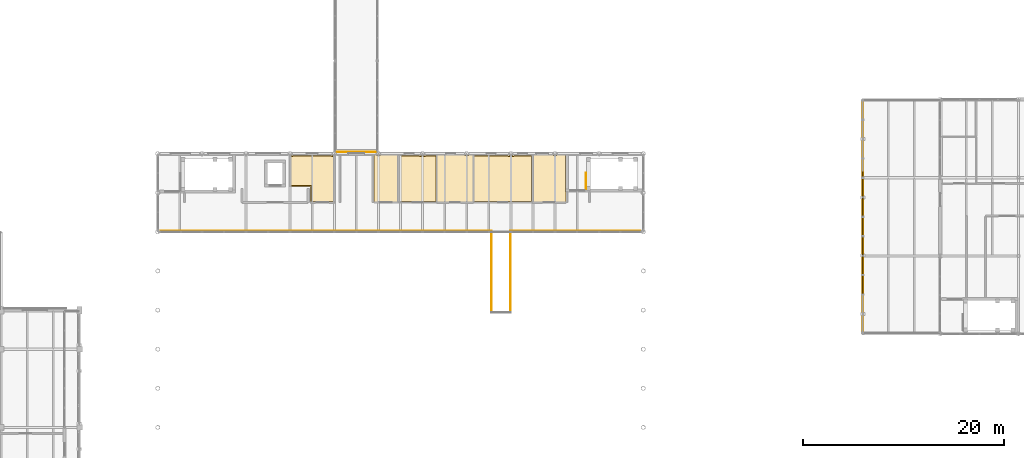
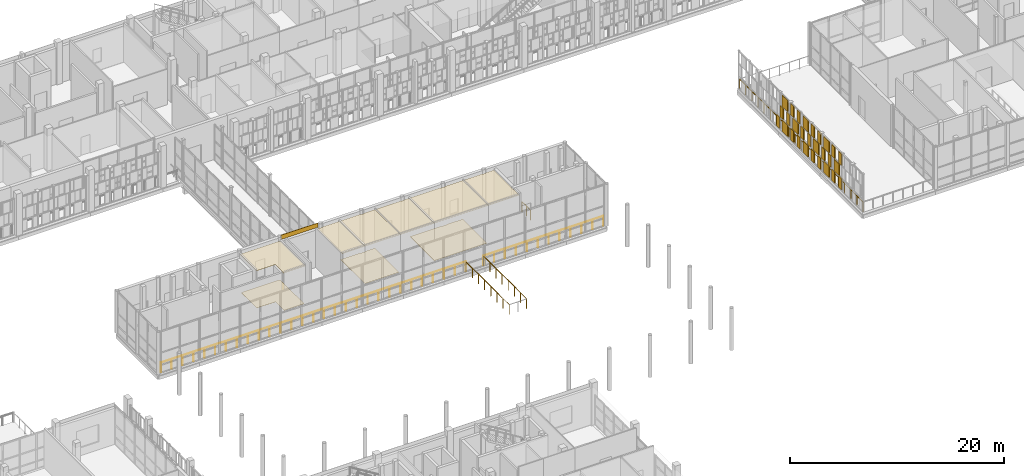
# One storey, part 130 of 138: 38 coverings, 6 railings.
"""IFC4 building model written with IfcOpenShell, lengths in metres."""

import ifcopenshell
import ifcopenshell.guid

model = None  # the IFC model being written
_history = None  # IfcOwnerHistory: only IFC2X3 demands one
_inside = {}  # id of a spatial element -> (the spatial element, [elements in it])
_under = {}  # id of a project, library or spatial element -> (it, [spatial elements below it])
_declared = {}  # id of a project -> (the project, [libraries it declares])
_typed = {}  # id of a type object -> (the type object, [elements of that type])
_made_of = {}  # id of a material, layer set ... -> (it, [elements and type objects made of it])


def new_model(schema):
    """Start an empty IFC model of exactly this schema.

    Asked for "IFC4X3", IfcOpenShell would pick the latest addendum, in which some entities
    have other attributes; the version numbers below select the first issue.
    IFC2X3 requires an IfcOwnerHistory on every rooted entity: one is made here for all.
    """
    global model, _history
    if schema == "IFC4X3":
        model = ifcopenshell.file(schema_version=(4, 3, 0, 0))
    else:
        model = ifcopenshell.file(schema=schema)
    _inside.clear()
    _under.clear()
    _declared.clear()
    _typed.clear()
    _made_of.clear()
    _history = None
    if model.schema == "IFC2X3":
        org = make("IfcOrganization", Name="unknown")
        user = make(
            "IfcPersonAndOrganization",
            ThePerson=make("IfcPerson", FamilyName="unknown"),
            TheOrganization=org,
        )
        app = make(
            "IfcApplication",
            ApplicationDeveloper=org,
            Version="unknown",
            ApplicationFullName="unknown",
            ApplicationIdentifier="unknown",
        )
        _history = make(
            "IfcOwnerHistory",
            OwningUser=user,
            OwningApplication=app,
            ChangeAction="ADDED",
            CreationDate=0,
        )
    return model


def make(cls, **values):
    """One entity of the class cls with the attributes given. An attribute that is None is left unset."""
    return model.create_entity(
        cls, **{name: value for name, value in values.items() if value is not None}
    )


def rooted(cls, **values):
    """An entity with a GlobalId (a new one), such as an element, a storey or a relation."""
    return make(cls, GlobalId=ifcopenshell.guid.new(), OwnerHistory=_history, **values)


def si_unit(unit_type, name, prefix=None):
    """IfcSIUnit, for example si_unit("LENGTHUNIT", "METRE", prefix="MILLI")."""
    return make("IfcSIUnit", UnitType=unit_type, Prefix=prefix, Name=name)


def assignment(units):
    """IfcUnitAssignment: the units of a project."""
    return None if units is None else make("IfcUnitAssignment", Units=units)


def point(xyz):
    """IfcCartesianPoint."""
    return None if xyz is None else make("IfcCartesianPoint", Coordinates=xyz)


def direction(xyz):
    """IfcDirection."""
    return None if xyz is None else make("IfcDirection", DirectionRatios=xyz)


def frame(location, z_axis=None, x_axis=None):
    """IfcAxis2Placement3D, a coordinate frame: its origin and axes. An axis left out is left unset."""
    return make(
        "IfcAxis2Placement3D",
        Location=point(location),
        Axis=direction(z_axis),
        RefDirection=direction(x_axis),
    )


def frame_2d(location, x_axis=None):
    """IfcAxis2Placement2D, a coordinate frame in the plane: its origin and x axis."""
    return make(
        "IfcAxis2Placement2D", Location=point(location), RefDirection=direction(x_axis)
    )


def origin():
    """The frame at (0, 0, 0) with its axes left unset."""
    return frame((0.0, 0.0, 0.0))


def origin_2d():
    """The frame at (0, 0) in the plane with its x axis left unset."""
    return frame_2d((0.0, 0.0))


def place(relative_to, where):
    """IfcLocalPlacement: puts the frame where relative to a parent placement (None: the world)."""
    return make(
        "IfcLocalPlacement", PlacementRelTo=relative_to, RelativePlacement=where
    )


def context(
    kind, dimensions, precision=None, world=None, true_north=None, identifier=None
):
    """IfcGeometricRepresentationContext, for example the 3D "Model" context."""
    return make(
        "IfcGeometricRepresentationContext",
        ContextIdentifier=identifier,
        ContextType=kind,
        CoordinateSpaceDimension=dimensions,
        Precision=precision,
        WorldCoordinateSystem=world,
        TrueNorth=true_north,
    )


def subcontext(parent, identifier, kind, view, scale=None):
    """IfcGeometricRepresentationSubContext, for example "Body" below "Model"."""
    return make(
        "IfcGeometricRepresentationSubContext",
        ContextIdentifier=identifier,
        ContextType=kind,
        ParentContext=parent,
        TargetScale=scale,
        TargetView=view,
    )


def project(units=None, contexts=None):
    """IfcProject with its units and contexts."""
    return rooted(
        "IfcProject",
        Name="project",
        RepresentationContexts=contexts,
        UnitsInContext=assignment(units),
    )


def spatial(cls, under=None, at=None, **own):
    """A site, building, storey or space (cls), placed at a placement, below another one or the project."""
    s = rooted(cls, ObjectPlacement=at, **own)
    if under is not None:
        _under.setdefault(under.id(), (under, []))[1].append(s)
    return s


def polyline(points):
    """IfcPolyline through the points."""
    return make("IfcPolyline", Points=[point(p) for p in points])


def profile(cls, at=None, kind="AREA", **sizes):
    """A parametric profile (cls). Its sizes go by their IFC names, for example OverallWidth=200.0."""
    return make(cls, ProfileType=kind, Position=at, **sizes)


def rectangle(**sizes):
    """IfcRectangleProfileDef."""
    return profile("IfcRectangleProfileDef", **sizes)


def circle(**sizes):
    """IfcCircleProfileDef."""
    return profile("IfcCircleProfileDef", **sizes)


def outline(outer, holes=None, kind="AREA"):
    """IfcArbitraryClosedProfileDef: a profile drawn as a closed curve; with holes, ...WithVoids."""
    if holes is None:
        return make("IfcArbitraryClosedProfileDef", ProfileType=kind, OuterCurve=outer)
    return make(
        "IfcArbitraryProfileDefWithVoids",
        ProfileType=kind,
        OuterCurve=outer,
        InnerCurves=holes,
    )


def extrude(swept, where, along, depth):
    """IfcExtrudedAreaSolid: the profile swept, set in the frame where, extruded along a direction by depth."""
    return make(
        "IfcExtrudedAreaSolid",
        SweptArea=swept,
        Position=where,
        ExtrudedDirection=direction(along),
        Depth=depth,
    )


def shape(context_of_items, identifier, shape_type, items):
    """IfcShapeRepresentation: the items that make up one representation, for example the "Body"."""
    return make(
        "IfcShapeRepresentation",
        ContextOfItems=context_of_items,
        RepresentationIdentifier=identifier,
        RepresentationType=shape_type,
        Items=items,
    )


def material(Name=None, Category=None):
    """IfcMaterial."""
    return make("IfcMaterial", Name=Name, Category=Category)


def layer(
    of_material, thickness, ventilated=None, Name=None, Category=None, Priority=None
):
    """IfcMaterialLayer: one layer of a wall or slab, of a material (None: an air gap)."""
    return make(
        "IfcMaterialLayer",
        Material=of_material,
        LayerThickness=thickness,
        IsVentilated=ventilated,
        Name=Name,
        Category=Category,
        Priority=Priority,
    )


def layer_set(layers, Name=None):
    """IfcMaterialLayerSet."""
    return make("IfcMaterialLayerSet", MaterialLayers=layers, LayerSetName=Name)


def made_of(thing, what):
    """Note that an element or type object is made of a material, layer set ...; save() writes the relation."""
    if what is not None:
        _made_of.setdefault(what.id(), (what, []))[1].append(thing)
    return thing


def type_object(cls, material=None, **own):
    """A type object (cls), such as IfcWallType, which elements share."""
    return made_of(rooted(cls, **own), material)


def element(
    cls,
    number,
    at=None,
    inside=None,
    cuts=None,
    type_object=None,
    material=None,
    context=None,
    identifier="Body",
    shape_type=None,
    held_by="IfcProductDefinitionShape",
    body=None,
    shapes=None,
    **own,
):
    """One element of the class cls, such as IfcWall. Its Tag is "e" and its number.

    at: its placement. inside: the storey or other place that contains it. cuts: it is an
    opening in that element (IfcRelVoidsElement). A single representation is given by context,
    identifier, shape_type and body (its items); several are given by shapes. held_by: the class
    of the entity that holds the representations. save() writes the other relations.
    """
    e = rooted(cls, Tag="e%d" % number, ObjectPlacement=at, **own)
    if body is not None:
        shapes = [shape(context, identifier, shape_type, body)]
    if shapes is not None:
        e.Representation = make(held_by, Representations=shapes)
    if inside is not None:
        _inside.setdefault(inside.id(), (inside, []))[1].append(e)
    if cuts is not None:
        rooted(
            "IfcRelVoidsElement", RelatingBuildingElement=cuts, RelatedOpeningElement=e
        )
    if type_object is not None:
        _typed.setdefault(type_object.id(), (type_object, []))[1].append(e)
    return made_of(e, material)


def aggregate(whole, parts):
    """IfcRelAggregates: a whole, such as a stair, and the parts it consists of."""
    return rooted("IfcRelAggregates", RelatingObject=whole, RelatedObjects=parts)


def save(model, path):
    """Write the relations noted so far, then the file.

    IfcRelAggregates (storeys below a building ...), IfcRelContainedInSpatialStructure (elements
    in a storey), IfcRelDefinesByType, IfcRelAssociatesMaterial and IfcRelDeclares: one each for
    every whole, place, type object, material and project.
    """
    for whole, parts in _under.values():
        aggregate(whole, parts)
    for where, things in _inside.values():
        rooted(
            "IfcRelContainedInSpatialStructure",
            RelatedElements=things,
            RelatingStructure=where,
        )
    for kind, things in _typed.values():
        rooted("IfcRelDefinesByType", RelatedObjects=things, RelatingType=kind)
    for what, things in _made_of.values():
        rooted("IfcRelAssociatesMaterial", RelatedObjects=things, RelatingMaterial=what)
    for by, libraries in _declared.values():
        rooted("IfcRelDeclares", RelatingContext=by, RelatedDefinitions=libraries)
    model.write(path)


model = new_model("IFC4")

# Units and contexts
model_context = context("Model", 3, precision=1e-05, world=origin(), true_north=direction((0.0, 1.0)))
body_context = subcontext(model_context, "Body", "Model", "MODEL_VIEW")
ifc_project = project(units=[si_unit("LENGTHUNIT", "METRE"), si_unit("AREAUNIT", "SQUARE_METRE"), si_unit("VOLUMEUNIT", "CUBIC_METRE"), si_unit("PLANEANGLEUNIT", "RADIAN"), si_unit("MASSUNIT", "GRAM", prefix="KILO")], contexts=[model_context])

# Site, building, storey
site_placement = place(None, origin())
site = spatial("IfcSite", under=ifc_project, at=site_placement, CompositionType="ELEMENT")
building_placement = place(site_placement, origin())
building = spatial("IfcBuilding", under=site, at=building_placement, Name="Celorna Specialist Clinic", CompositionType="ELEMENT")
storey_placement = place(building_placement, frame((0.0, 0.0, 4.800048828125)))
storey = spatial("IfcBuildingStorey", under=building, at=storey_placement, Name="L01", CompositionType="ELEMENT", Elevation=4.800048828125)

# Railings
ifc_material_1 = material(Name="Stainless steel and laminated glass balustrade", Category="steel")
railing_type_1 = type_object("IfcRailingType", Name="BL-01", PredefinedType="BALUSTRADE", material=ifc_material_1)
railing_1_placement = place(storey_placement, frame((124.919921875, 60.1201171875, 0.0)))
element("IfcRailing", 1, at=railing_1_placement, inside=storey, type_object=railing_type_1, Name="Healing Cloister Veranda Terrace perimeter balustrade 1", PredefinedType="BALUSTRADE", context=body_context, shape_type="SweptSolid", body=[
    extrude(circle(Radius=0.02392578125, at=origin_2d()), frame((0.0, 0.0, 1.09619140625), z_axis=(0.0, 1.0, 0.0), x_axis=(-1.0, 0.0, 0.0)), (0.0, 0.0, 1.0), 23.159912109375),
    extrude(circle(Radius=0.02099609375, at=origin_2d()), origin(), (0.0, 0.0, 1.0), 1.072021484375),
    extrude(circle(Radius=0.02099609375, at=origin_2d()), frame((0.0, 1.157958984375, 0.0)), (0.0, 0.0, 1.0), 1.072021484375),
    extrude(circle(Radius=0.02099609375, at=origin_2d()), frame((0.0, 2.31591796875, 0.0)), (0.0, 0.0, 1.0), 1.072021484375),
    extrude(circle(Radius=0.02099609375, at=origin_2d()), frame((0.0, 3.473876953125, 0.0)), (0.0, 0.0, 1.0), 1.072021484375),
    extrude(circle(Radius=0.02099609375, at=origin_2d()), frame((0.0, 4.632080078125, 0.0)), (0.0, 0.0, 1.0), 1.072021484375),
    extrude(circle(Radius=0.02099609375, at=origin_2d()), frame((0.0, 5.7900390625, 0.0)), (0.0, 0.0, 1.0), 1.072021484375),
    extrude(circle(Radius=0.02099609375, at=origin_2d()), frame((0.0, 6.947998046875, 0.0)), (0.0, 0.0, 1.0), 1.072021484375),
    extrude(circle(Radius=0.02099609375, at=origin_2d()), frame((0.0, 8.10595703125, 0.0)), (0.0, 0.0, 1.0), 1.072021484375),
    extrude(circle(Radius=0.02099609375, at=origin_2d()), frame((0.0, 9.263916015625, 0.0)), (0.0, 0.0, 1.0), 1.072021484375),
    extrude(circle(Radius=0.02099609375, at=origin_2d()), frame((0.0, 10.421875, 0.0)), (0.0, 0.0, 1.0), 1.072021484375),
    extrude(circle(Radius=0.02099609375, at=origin_2d()), frame((0.0, 11.580078125, 0.0)), (0.0, 0.0, 1.0), 1.072021484375),
    extrude(circle(Radius=0.02099609375, at=origin_2d()), frame((0.0, 12.738037109375, 0.0)), (0.0, 0.0, 1.0), 1.072021484375),
    extrude(circle(Radius=0.02099609375, at=origin_2d()), frame((0.0, 13.89599609375, 0.0)), (0.0, 0.0, 1.0), 1.072021484375),
    extrude(circle(Radius=0.02099609375, at=origin_2d()), frame((0.0, 15.053955078125, 0.0)), (0.0, 0.0, 1.0), 1.072021484375),
    extrude(circle(Radius=0.02099609375, at=origin_2d()), frame((0.0, 16.2119140625, 0.0)), (0.0, 0.0, 1.0), 1.072021484375),
    extrude(circle(Radius=0.02099609375, at=origin_2d()), frame((0.0, 17.369873046875, 0.0)), (0.0, 0.0, 1.0), 1.072021484375),
    extrude(circle(Radius=0.02099609375, at=origin_2d()), frame((0.0, 18.52783203125, 0.0)), (0.0, 0.0, 1.0), 1.072021484375),
    extrude(circle(Radius=0.02099609375, at=origin_2d()), frame((0.0, 19.68603515625, 0.0)), (0.0, 0.0, 1.0), 1.072021484375),
    extrude(circle(Radius=0.02099609375, at=origin_2d()), frame((0.0, 20.843994140625, 0.0)), (0.0, 0.0, 1.0), 1.072021484375),
    extrude(circle(Radius=0.02099609375, at=origin_2d()), frame((0.0, 22.001953125, 0.0)), (0.0, 0.0, 1.0), 1.072021484375),
    extrude(circle(Radius=0.02099609375, at=origin_2d()), frame((0.0, 23.159912109375, 0.0)), (0.0, 0.0, 1.0), 1.072021484375),
])
railing_2_placement = place(storey_placement, frame((87.85498046875, 70.215087890625, 0.0)))
element("IfcRailing", 2, at=railing_2_placement, inside=storey, type_object=railing_type_1, Name="Feature stair ST-15 upper well balustrade 1", PredefinedType="BALUSTRADE", context=body_context, shape_type="SweptSolid", body=[
    extrude(circle(Radius=0.02392578125, at=origin_2d()), frame((0.0, 0.0, 1.09619140625), z_axis=(0.0, -1.0, 0.0), x_axis=(1.0, 0.0, 0.0)), (0.0, 0.0, 1.0), 8.05517578125),
    extrude(circle(Radius=0.02099609375, at=origin_2d()), origin(), (0.0, 0.0, 1.0), 1.072021484375),
    extrude(circle(Radius=0.02099609375, at=origin_2d()), frame((0.0, -1.150634765625, 0.0)), (0.0, 0.0, 1.0), 1.072021484375),
    extrude(circle(Radius=0.02099609375, at=origin_2d()), frame((0.0, -2.301513671875, 0.0)), (0.0, 0.0, 1.0), 1.072021484375),
    extrude(circle(Radius=0.02099609375, at=origin_2d()), frame((0.0, -3.4521484375, 0.0)), (0.0, 0.0, 1.0), 1.072021484375),
    extrude(circle(Radius=0.02099609375, at=origin_2d()), frame((0.0, -4.60302734375, 0.0)), (0.0, 0.0, 1.0), 1.072021484375),
    extrude(circle(Radius=0.02099609375, at=origin_2d()), frame((0.0, -5.753662109375, 0.0)), (0.0, 0.0, 1.0), 1.072021484375),
    extrude(circle(Radius=0.02099609375, at=origin_2d()), frame((0.0, -6.904541015625, 0.0)), (0.0, 0.0, 1.0), 1.072021484375),
    extrude(circle(Radius=0.02099609375, at=origin_2d()), frame((0.0, -8.05517578125, 0.0)), (0.0, 0.0, 1.0), 1.072021484375),
])
railing_3_placement = place(storey_placement, frame((89.7451171875, 62.159912109375, 0.0)))
element("IfcRailing", 3, at=railing_3_placement, inside=storey, type_object=railing_type_1, Name="Feature stair ST-15 upper well balustrade 3", PredefinedType="BALUSTRADE", context=body_context, shape_type="SweptSolid", body=[
    extrude(circle(Radius=0.02392578125, at=origin_2d()), frame((0.0, 0.0, 1.09619140625), z_axis=(0.0, 1.0, 0.0), x_axis=(-1.0, 0.0, 0.0)), (0.0, 0.0, 1.0), 8.05517578125),
    extrude(circle(Radius=0.02099609375, at=origin_2d()), origin(), (0.0, 0.0, 1.0), 1.072021484375),
    extrude(circle(Radius=0.02099609375, at=origin_2d()), frame((0.0, 1.150634765625, 0.0)), (0.0, 0.0, 1.0), 1.072021484375),
    extrude(circle(Radius=0.02099609375, at=origin_2d()), frame((0.0, 2.301513671875, 0.0)), (0.0, 0.0, 1.0), 1.072021484375),
    extrude(circle(Radius=0.02099609375, at=origin_2d()), frame((0.0, 3.4521484375, 0.0)), (0.0, 0.0, 1.0), 1.072021484375),
    extrude(circle(Radius=0.02099609375, at=origin_2d()), frame((0.0, 4.60302734375, 0.0)), (0.0, 0.0, 1.0), 1.072021484375),
    extrude(circle(Radius=0.02099609375, at=origin_2d()), frame((0.0, 5.753662109375, 0.0)), (0.0, 0.0, 1.0), 1.072021484375),
    extrude(circle(Radius=0.02099609375, at=origin_2d()), frame((0.0, 6.904541015625, 0.0)), (0.0, 0.0, 1.0), 1.072021484375),
    extrude(circle(Radius=0.02099609375, at=origin_2d()), frame((0.0, 8.05517578125, 0.0)), (0.0, 0.0, 1.0), 1.072021484375),
])
railing_4_placement = place(storey_placement, frame((54.89990234375, 70.280029296875, 0.0)))
element("IfcRailing", 4, at=railing_4_placement, inside=storey, type_object=railing_type_1, Name="Treatment Hall L01 observation gallery balustrade W", PredefinedType="BALUSTRADE", context=body_context, shape_type="SweptSolid", body=[
    extrude(circle(Radius=0.02392578125, at=origin_2d()), frame((0.0, 0.0, 1.09619140625), z_axis=(1.0, 0.0, 0.0), x_axis=(0.0, 1.0, 0.0)), (0.0, 0.0, 1.0), 32.9501953125),
    extrude(circle(Radius=0.02099609375, at=origin_2d()), origin(), (0.0, 0.0, 1.0), 1.072021484375),
    extrude(circle(Radius=0.02099609375, at=origin_2d()), frame((1.1767578125, 0.0, 0.0)), (0.0, 0.0, 1.0), 1.072021484375),
    extrude(circle(Radius=0.02099609375, at=origin_2d()), frame((2.353515625, 0.0, 0.0)), (0.0, 0.0, 1.0), 1.072021484375),
    extrude(circle(Radius=0.02099609375, at=origin_2d()), frame((3.5302734375, 0.0, 0.0)), (0.0, 0.0, 1.0), 1.072021484375),
    extrude(circle(Radius=0.02099609375, at=origin_2d()), frame((4.707275390625, 0.0, 0.0)), (0.0, 0.0, 1.0), 1.072021484375),
    extrude(circle(Radius=0.02099609375, at=origin_2d()), frame((5.884033203125, 0.0, 0.0)), (0.0, 0.0, 1.0), 1.072021484375),
    extrude(circle(Radius=0.02099609375, at=origin_2d()), frame((7.060791015625, 0.0, 0.0)), (0.0, 0.0, 1.0), 1.072021484375),
    extrude(circle(Radius=0.02099609375, at=origin_2d()), frame((8.237548828125, 0.0, 0.0)), (0.0, 0.0, 1.0), 1.072021484375),
    extrude(circle(Radius=0.02099609375, at=origin_2d()), frame((9.414306640625, 0.0, 0.0)), (0.0, 0.0, 1.0), 1.072021484375),
    extrude(circle(Radius=0.02099609375, at=origin_2d()), frame((10.591064453125, 0.0, 0.0)), (0.0, 0.0, 1.0), 1.072021484375),
    extrude(circle(Radius=0.02099609375, at=origin_2d()), frame((11.767822265625, 0.0, 0.0)), (0.0, 0.0, 1.0), 1.072021484375),
    extrude(circle(Radius=0.02099609375, at=origin_2d()), frame((12.94482421875, 0.0, 0.0)), (0.0, 0.0, 1.0), 1.072021484375),
    extrude(circle(Radius=0.02099609375, at=origin_2d()), frame((14.12158203125, 0.0, 0.0)), (0.0, 0.0, 1.0), 1.072021484375),
    extrude(circle(Radius=0.02099609375, at=origin_2d()), frame((15.29833984375, 0.0, 0.0)), (0.0, 0.0, 1.0), 1.072021484375),
    extrude(circle(Radius=0.02099609375, at=origin_2d()), frame((16.47509765625, 0.0, 0.0)), (0.0, 0.0, 1.0), 1.072021484375),
    extrude(circle(Radius=0.02099609375, at=origin_2d()), frame((17.65185546875, 0.0, 0.0)), (0.0, 0.0, 1.0), 1.072021484375),
    extrude(circle(Radius=0.02099609375, at=origin_2d()), frame((18.82861328125, 0.0, 0.0)), (0.0, 0.0, 1.0), 1.072021484375),
    extrude(circle(Radius=0.02099609375, at=origin_2d()), frame((20.00537109375, 0.0, 0.0)), (0.0, 0.0, 1.0), 1.072021484375),
    extrude(circle(Radius=0.02099609375, at=origin_2d()), frame((21.182373046875, 0.0, 0.0)), (0.0, 0.0, 1.0), 1.072021484375),
    extrude(circle(Radius=0.02099609375, at=origin_2d()), frame((22.359130859375, 0.0, 0.0)), (0.0, 0.0, 1.0), 1.072021484375),
    extrude(circle(Radius=0.02099609375, at=origin_2d()), frame((23.535888671875, 0.0, 0.0)), (0.0, 0.0, 1.0), 1.072021484375),
    extrude(circle(Radius=0.02099609375, at=origin_2d()), frame((24.712646484375, 0.0, 0.0)), (0.0, 0.0, 1.0), 1.072021484375),
    extrude(circle(Radius=0.02099609375, at=origin_2d()), frame((25.889404296875, 0.0, 0.0)), (0.0, 0.0, 1.0), 1.072021484375),
    extrude(circle(Radius=0.02099609375, at=origin_2d()), frame((27.066162109375, 0.0, 0.0)), (0.0, 0.0, 1.0), 1.072021484375),
    extrude(circle(Radius=0.02099609375, at=origin_2d()), frame((28.242919921875, 0.0, 0.0)), (0.0, 0.0, 1.0), 1.072021484375),
    extrude(circle(Radius=0.02099609375, at=origin_2d()), frame((29.419921875, 0.0, 0.0)), (0.0, 0.0, 1.0), 1.072021484375),
    extrude(circle(Radius=0.02099609375, at=origin_2d()), frame((30.5966796875, 0.0, 0.0)), (0.0, 0.0, 1.0), 1.072021484375),
    extrude(circle(Radius=0.02099609375, at=origin_2d()), frame((31.7734375, 0.0, 0.0)), (0.0, 0.0, 1.0), 1.072021484375),
    extrude(circle(Radius=0.02099609375, at=origin_2d()), frame((32.9501953125, 0.0, 0.0)), (0.0, 0.0, 1.0), 1.072021484375),
])
railing_5_placement = place(storey_placement, frame((89.75, 70.280029296875, 0.0)))
element("IfcRailing", 5, at=railing_5_placement, inside=storey, type_object=railing_type_1, Name="Treatment Hall L01 observation gallery balustrade E", PredefinedType="BALUSTRADE", context=body_context, shape_type="SweptSolid", body=[
    extrude(circle(Radius=0.02392578125, at=origin_2d()), frame((0.0, 0.0, 1.09619140625), z_axis=(1.0, 0.0, 0.0), x_axis=(0.0, 1.0, 0.0)), (0.0, 0.0, 1.0), 12.949951171875),
    extrude(circle(Radius=0.02099609375, at=origin_2d()), origin(), (0.0, 0.0, 1.0), 1.072021484375),
    extrude(circle(Radius=0.02099609375, at=origin_2d()), frame((1.17724609375, 0.0, 0.0)), (0.0, 0.0, 1.0), 1.072021484375),
    extrude(circle(Radius=0.02099609375, at=origin_2d()), frame((2.3544921875, 0.0, 0.0)), (0.0, 0.0, 1.0), 1.072021484375),
    extrude(circle(Radius=0.02099609375, at=origin_2d()), frame((3.53173828125, 0.0, 0.0)), (0.0, 0.0, 1.0), 1.072021484375),
    extrude(circle(Radius=0.02099609375, at=origin_2d()), frame((4.708984375, 0.0, 0.0)), (0.0, 0.0, 1.0), 1.072021484375),
    extrude(circle(Radius=0.02099609375, at=origin_2d()), frame((5.88623046875, 0.0, 0.0)), (0.0, 0.0, 1.0), 1.072021484375),
    extrude(circle(Radius=0.02099609375, at=origin_2d()), frame((7.063720703125, 0.0, 0.0)), (0.0, 0.0, 1.0), 1.072021484375),
    extrude(circle(Radius=0.02099609375, at=origin_2d()), frame((8.240966796875, 0.0, 0.0)), (0.0, 0.0, 1.0), 1.072021484375),
    extrude(circle(Radius=0.02099609375, at=origin_2d()), frame((9.418212890625, 0.0, 0.0)), (0.0, 0.0, 1.0), 1.072021484375),
    extrude(circle(Radius=0.02099609375, at=origin_2d()), frame((10.595458984375, 0.0, 0.0)), (0.0, 0.0, 1.0), 1.072021484375),
    extrude(circle(Radius=0.02099609375, at=origin_2d()), frame((11.772705078125, 0.0, 0.0)), (0.0, 0.0, 1.0), 1.072021484375),
    extrude(circle(Radius=0.02099609375, at=origin_2d()), frame((12.949951171875, 0.0, 0.0)), (0.0, 0.0, 1.0), 1.072021484375),
])

# Coverings
ifc_material_2 = material(Name="Hygienic acoustic mineral-fibre ceiling")
ifc_layer_1 = layer(ifc_material_2, 0.030029296875, Name="Hygienic acoustic mineral-fibre ceiling")
ifc_layer_set_1 = layer_set([ifc_layer_1], Name="Hygienic acoustic mineral-fibre ceiling")
covering_type_1 = type_object("IfcCoveringType", Name="CE-01", PredefinedType="CEILING", material=ifc_layer_set_1)
covering_1_placement = place(storey_placement, frame((0.0, 0.0, 4.329833984375)))
element("IfcCovering", 6, at=covering_1_placement, inside=storey, type_object=covering_type_1, Name="Acoustic ceiling L01-016", PredefinedType="CEILING", context=body_context, shape_type="SweptSolid", body=[
    extrude(outline(polyline([(71.99169921875, 77.844970703125), (71.99169921875, 77.791748046875), (72.18505859375, 77.791748046875), (72.18505859375, 73.135009765625), (69.8349609375, 73.135009765625), (69.8349609375, 74.735107421875), (67.804931640625, 74.735107421875), (67.804931640625, 77.791748046875), (68.00830078125, 77.791748046875), (68.00830078125, 77.844970703125), (71.99169921875, 77.844970703125)])), origin(), (0.0, 0.0, 1.0), 0.030029296875),
])
covering_2_placement = place(storey_placement, frame((0.0, 0.0, 4.329833984375)))
element("IfcCovering", 7, at=covering_2_placement, inside=storey, type_object=covering_type_1, Name="Acoustic ceiling L01-017", PredefinedType="CEILING", context=body_context, shape_type="SweptSolid", body=[
    extrude(outline(polyline([(78.5849609375, 77.844970703125), (78.5849609375, 73.135009765625), (76.155029296875, 73.135009765625), (76.155029296875, 77.844970703125), (76.391845703125, 77.844970703125), (76.391845703125, 77.791748046875), (76.80810546875, 77.791748046875), (76.80810546875, 77.844970703125), (78.5849609375, 77.844970703125)])), origin(), (0.0, 0.0, 1.0), 0.030029296875),
])
covering_3_placement = place(storey_placement, frame((0.0, 0.0, 4.329833984375)))
element("IfcCovering", 8, at=covering_3_placement, inside=storey, type_object=covering_type_1, Name="Acoustic ceiling L01-018", PredefinedType="CEILING", context=body_context, shape_type="SweptSolid", body=[
    extrude(outline(polyline([(80.791748046875, 77.844970703125), (80.791748046875, 77.791748046875), (81.208251953125, 77.791748046875), (81.208251953125, 77.844970703125), (82.43505859375, 77.844970703125), (82.43505859375, 73.135009765625), (78.554931640625, 73.135009765625), (78.554931640625, 77.844970703125), (80.791748046875, 77.844970703125)])), origin(), (0.0, 0.0, 1.0), 0.030029296875),
])
covering_4_placement = place(storey_placement, frame((0.0, 0.0, 4.329833984375)))
element("IfcCovering", 9, at=covering_4_placement, inside=storey, type_object=covering_type_1, Name="Acoustic ceiling L01-019", PredefinedType="CEILING", context=body_context, shape_type="SweptSolid", body=[
    extrude(outline(polyline([(85.19189453125, 77.844970703125), (85.19189453125, 77.791748046875), (85.608154296875, 77.791748046875), (85.608154296875, 77.844970703125), (86.0849609375, 77.844970703125), (86.0849609375, 73.135009765625), (82.405029296875, 73.135009765625), (82.405029296875, 77.844970703125), (85.19189453125, 77.844970703125)])), origin(), (0.0, 0.0, 1.0), 0.030029296875),
])
covering_5_placement = place(storey_placement, frame((0.0, 0.0, 4.329833984375)))
element("IfcCovering", 10, at=covering_5_placement, inside=storey, type_object=covering_type_1, Name="Acoustic ceiling L01-020", PredefinedType="CEILING", context=body_context, shape_type="SweptSolid", body=[
    extrude(outline(polyline([(89.591796875, 77.844970703125), (89.591796875, 77.791748046875), (90.00830078125, 77.791748046875), (90.00830078125, 77.844970703125), (91.93505859375, 77.844970703125), (91.93505859375, 73.135009765625), (86.054931640625, 73.135009765625), (86.054931640625, 77.844970703125), (89.591796875, 77.844970703125)])), origin(), (0.0, 0.0, 1.0), 0.030029296875),
])
covering_6_placement = place(storey_placement, frame((0.0, 0.0, 4.329833984375)))
element("IfcCovering", 11, at=covering_6_placement, inside=storey, type_object=covering_type_1, Name="Acoustic ceiling L01-021", PredefinedType="CEILING", context=body_context, shape_type="SweptSolid", body=[
    extrude(outline(polyline([(93.99169921875, 77.844970703125), (93.99169921875, 77.791748046875), (94.408203125, 77.791748046875), (94.408203125, 77.844970703125), (95.2548828125, 77.844970703125), (95.2548828125, 74.195068359375), (95.284912109375, 74.195068359375), (95.284912109375, 73.135009765625), (91.905029296875, 73.135009765625), (91.905029296875, 77.844970703125), (93.99169921875, 77.844970703125)])), origin(), (0.0, 0.0, 1.0), 0.030029296875),
])
ifc_material_3 = material(Name="Pero Pinheiro Lioz limestone rainscreen cladding", Category="masonry")
ifc_layer_2 = layer(ifc_material_3, 0.044921875, Name="Pero Pinheiro Lioz limestone rainscreen cladding")
ifc_layer_set_2 = layer_set([ifc_layer_2], Name="Pero Pinheiro Lioz limestone rainscreen cladding")
covering_type_2 = type_object("IfcCoveringType", Name="CL-01", PredefinedType="CLADDING", material=ifc_layer_set_2)
covering_7_placement = place(storey_placement, frame((74.39990234375, 78.1474609375, 4.259765625), z_axis=(0.0, 0.0, 1.0), x_axis=(1.0, 0.0, 0.0)))
element("IfcCovering", 12, at=covering_7_placement, inside=storey, type_object=covering_type_2, Name="Lioz spandrel cladding #95", PredefinedType="CLADDING", context=body_context, shape_type="SweptSolid", body=[
    extrude(rectangle(XDim=3.99365234375, YDim=0.044921875, at=origin_2d()), origin(), (0.0, 0.0, 1.0), 0.489990234375),
])
ifc_material_4 = material(Name="Perforated terracotta brick weave cladding", Category="masonry")
ifc_layer_3 = layer(ifc_material_4, 0.114990234375, Name="Perforated terracotta brick weave cladding")
ifc_layer_set_3 = layer_set([ifc_layer_3], Name="Perforated terracotta brick weave cladding")
covering_type_3 = type_object("IfcCoveringType", Name="CL-02", PredefinedType="CLADDING", material=ifc_layer_set_3)
for number, where, z_axis, x_axis, name in (
    (13, (124.8701171875, 64.290283203125, 0.10009765625), (0.0, 0.0, 1.0), (0.0, 1.0, 0.0), "Woven perforated terracotta brick course #1635"),
    (14, (124.8701171875, 65.552978515625, 0.10009765625), (0.0, 0.0, 1.0), (0.0, 1.0, 0.0), "Woven perforated terracotta brick course #1636"),
):
    element("IfcCovering", number, at=place(storey_placement, frame(where, z_axis=z_axis, x_axis=x_axis)), inside=storey, type_object=covering_type_3, Name=name, PredefinedType="CLADDING", context=body_context, shape_type="SweptSolid", body=[
        extrude(rectangle(XDim=0.55419921875, YDim=0.114990234375, at=origin_2d()), origin(), (0.0, 0.0, 1.0), 1.313232421875),
    ])
covering_8_placement = place(storey_placement, frame((124.8701171875, 64.921630859375, 1.51318359375), z_axis=(0.0, 0.0, 1.0), x_axis=(0.0, 1.0, 0.0)))
element("IfcCovering", 15, at=covering_8_placement, inside=storey, type_object=covering_type_3, Name="Woven perforated terracotta brick course #1637", PredefinedType="CLADDING", context=body_context, shape_type="SweptSolid", body=[
    extrude(rectangle(XDim=0.98095703125, YDim=0.114990234375, at=origin_2d()), origin(), (0.0, 0.0, 1.0), 1.3134765625),
])
for number, where, z_axis, x_axis, name in (
    (16, (124.8701171875, 64.290283203125, 2.9267578125), (0.0, 0.0, 1.0), (0.0, 1.0, 0.0), "Woven perforated terracotta brick course #1638"),
    (17, (124.8701171875, 65.552978515625, 2.9267578125), (0.0, 0.0, 1.0), (0.0, 1.0, 0.0), "Woven perforated terracotta brick course #1639"),
):
    element("IfcCovering", number, at=place(storey_placement, frame(where, z_axis=z_axis, x_axis=x_axis)), inside=storey, type_object=covering_type_3, Name=name, PredefinedType="CLADDING", context=body_context, shape_type="SweptSolid", body=[
        extrude(rectangle(XDim=0.55419921875, YDim=0.114990234375, at=origin_2d()), origin(), (0.0, 0.0, 1.0), 1.313232421875),
    ])
covering_9_placement = place(storey_placement, frame((124.8701171875, 66.8583984375, 0.10009765625), z_axis=(0.0, 0.0, 1.0), x_axis=(0.0, 1.0, 0.0)))
element("IfcCovering", 18, at=covering_9_placement, inside=storey, type_object=covering_type_3, Name="Woven perforated terracotta brick course #1640", PredefinedType="CLADDING", context=body_context, shape_type="SweptSolid", body=[
    extrude(rectangle(XDim=0.98095703125, YDim=0.114990234375, at=origin_2d()), origin(), (0.0, 0.0, 1.0), 1.313232421875),
])
for number, where, z_axis, x_axis, name in (
    (19, (124.8701171875, 66.22705078125, 1.51318359375), (0.0, 0.0, 1.0), (0.0, 1.0, 0.0), "Woven perforated terracotta brick course #1641"),
    (20, (124.8701171875, 67.489501953125, 1.51318359375), (0.0, 0.0, 1.0), (0.0, 1.0, 0.0), "Woven perforated terracotta brick course #1642"),
):
    element("IfcCovering", number, at=place(storey_placement, frame(where, z_axis=z_axis, x_axis=x_axis)), inside=storey, type_object=covering_type_3, Name=name, PredefinedType="CLADDING", context=body_context, shape_type="SweptSolid", body=[
        extrude(rectangle(XDim=0.55419921875, YDim=0.114990234375, at=origin_2d()), origin(), (0.0, 0.0, 1.0), 1.3134765625),
    ])
covering_10_placement = place(storey_placement, frame((124.8701171875, 66.8583984375, 2.9267578125), z_axis=(0.0, 0.0, 1.0), x_axis=(0.0, 1.0, 0.0)))
element("IfcCovering", 21, at=covering_10_placement, inside=storey, type_object=covering_type_3, Name="Woven perforated terracotta brick course #1643", PredefinedType="CLADDING", context=body_context, shape_type="SweptSolid", body=[
    extrude(rectangle(XDim=0.98095703125, YDim=0.114990234375, at=origin_2d()), origin(), (0.0, 0.0, 1.0), 1.313232421875),
])
for number, where, z_axis, x_axis, name in (
    (22, (124.8701171875, 68.163818359375, 0.10009765625), (0.0, 0.0, 1.0), (0.0, 1.0, 0.0), "Woven perforated terracotta brick course #1644"),
    (23, (124.8701171875, 69.42626953125, 0.10009765625), (0.0, 0.0, 1.0), (0.0, 1.0, 0.0), "Woven perforated terracotta brick course #1645"),
):
    element("IfcCovering", number, at=place(storey_placement, frame(where, z_axis=z_axis, x_axis=x_axis)), inside=storey, type_object=covering_type_3, Name=name, PredefinedType="CLADDING", context=body_context, shape_type="SweptSolid", body=[
        extrude(rectangle(XDim=0.55419921875, YDim=0.114990234375, at=origin_2d()), origin(), (0.0, 0.0, 1.0), 1.313232421875),
    ])
covering_11_placement = place(storey_placement, frame((124.8701171875, 68.794921875, 1.51318359375), z_axis=(0.0, 0.0, 1.0), x_axis=(0.0, 1.0, 0.0)))
element("IfcCovering", 24, at=covering_11_placement, inside=storey, type_object=covering_type_3, Name="Woven perforated terracotta brick course #1646", PredefinedType="CLADDING", context=body_context, shape_type="SweptSolid", body=[
    extrude(rectangle(XDim=0.98095703125, YDim=0.114990234375, at=origin_2d()), origin(), (0.0, 0.0, 1.0), 1.3134765625),
])
for number, where, z_axis, x_axis, name in (
    (25, (124.8701171875, 68.163818359375, 2.9267578125), (0.0, 0.0, 1.0), (0.0, 1.0, 0.0), "Woven perforated terracotta brick course #1647"),
    (26, (124.8701171875, 69.42626953125, 2.9267578125), (0.0, 0.0, 1.0), (0.0, 1.0, 0.0), "Woven perforated terracotta brick course #1648"),
):
    element("IfcCovering", number, at=place(storey_placement, frame(where, z_axis=z_axis, x_axis=x_axis)), inside=storey, type_object=covering_type_3, Name=name, PredefinedType="CLADDING", context=body_context, shape_type="SweptSolid", body=[
        extrude(rectangle(XDim=0.55419921875, YDim=0.114990234375, at=origin_2d()), origin(), (0.0, 0.0, 1.0), 1.313232421875),
    ])
covering_12_placement = place(storey_placement, frame((124.8701171875, 70.731689453125, 0.10009765625), z_axis=(0.0, 0.0, 1.0), x_axis=(0.0, 1.0, 0.0)))
element("IfcCovering", 27, at=covering_12_placement, inside=storey, type_object=covering_type_3, Name="Woven perforated terracotta brick course #1649", PredefinedType="CLADDING", context=body_context, shape_type="SweptSolid", body=[
    extrude(rectangle(XDim=0.98095703125, YDim=0.114990234375, at=origin_2d()), origin(), (0.0, 0.0, 1.0), 1.313232421875),
])
for number, where, z_axis, x_axis, name in (
    (28, (124.8701171875, 70.100341796875, 1.51318359375), (0.0, 0.0, 1.0), (0.0, 1.0, 0.0), "Woven perforated terracotta brick course #1650"),
    (29, (124.8701171875, 71.36279296875, 1.51318359375), (0.0, 0.0, 1.0), (0.0, 1.0, 0.0), "Woven perforated terracotta brick course #1651"),
):
    element("IfcCovering", number, at=place(storey_placement, frame(where, z_axis=z_axis, x_axis=x_axis)), inside=storey, type_object=covering_type_3, Name=name, PredefinedType="CLADDING", context=body_context, shape_type="SweptSolid", body=[
        extrude(rectangle(XDim=0.55419921875, YDim=0.114990234375, at=origin_2d()), origin(), (0.0, 0.0, 1.0), 1.3134765625),
    ])
covering_13_placement = place(storey_placement, frame((124.8701171875, 70.731689453125, 2.9267578125), z_axis=(0.0, 0.0, 1.0), x_axis=(0.0, 1.0, 0.0)))
element("IfcCovering", 30, at=covering_13_placement, inside=storey, type_object=covering_type_3, Name="Woven perforated terracotta brick course #1652", PredefinedType="CLADDING", context=body_context, shape_type="SweptSolid", body=[
    extrude(rectangle(XDim=0.98095703125, YDim=0.114990234375, at=origin_2d()), origin(), (0.0, 0.0, 1.0), 1.313232421875),
])
for number, where, z_axis, x_axis, name in (
    (31, (124.8701171875, 72.037109375, 0.10009765625), (0.0, 0.0, 1.0), (0.0, 1.0, 0.0), "Woven perforated terracotta brick course #1653"),
    (32, (124.8701171875, 73.299560546875, 0.10009765625), (0.0, 0.0, 1.0), (0.0, 1.0, 0.0), "Woven perforated terracotta brick course #1654"),
):
    element("IfcCovering", number, at=place(storey_placement, frame(where, z_axis=z_axis, x_axis=x_axis)), inside=storey, type_object=covering_type_3, Name=name, PredefinedType="CLADDING", context=body_context, shape_type="SweptSolid", body=[
        extrude(rectangle(XDim=0.55419921875, YDim=0.114990234375, at=origin_2d()), origin(), (0.0, 0.0, 1.0), 1.313232421875),
    ])
covering_14_placement = place(storey_placement, frame((124.8701171875, 72.668212890625, 1.51318359375), z_axis=(0.0, 0.0, 1.0), x_axis=(0.0, 1.0, 0.0)))
element("IfcCovering", 33, at=covering_14_placement, inside=storey, type_object=covering_type_3, Name="Woven perforated terracotta brick course #1655", PredefinedType="CLADDING", context=body_context, shape_type="SweptSolid", body=[
    extrude(rectangle(XDim=0.98095703125, YDim=0.114990234375, at=origin_2d()), origin(), (0.0, 0.0, 1.0), 1.3134765625),
])
for number, where, z_axis, x_axis, name in (
    (34, (124.8701171875, 72.037109375, 2.9267578125), (0.0, 0.0, 1.0), (0.0, 1.0, 0.0), "Woven perforated terracotta brick course #1656"),
    (35, (124.8701171875, 73.299560546875, 2.9267578125), (0.0, 0.0, 1.0), (0.0, 1.0, 0.0), "Woven perforated terracotta brick course #1657"),
):
    element("IfcCovering", number, at=place(storey_placement, frame(where, z_axis=z_axis, x_axis=x_axis)), inside=storey, type_object=covering_type_3, Name=name, PredefinedType="CLADDING", context=body_context, shape_type="SweptSolid", body=[
        extrude(rectangle(XDim=0.55419921875, YDim=0.114990234375, at=origin_2d()), origin(), (0.0, 0.0, 1.0), 1.313232421875),
    ])
covering_15_placement = place(storey_placement, frame((124.8701171875, 74.60498046875, 0.10009765625), z_axis=(0.0, 0.0, 1.0), x_axis=(0.0, 1.0, 0.0)))
element("IfcCovering", 36, at=covering_15_placement, inside=storey, type_object=covering_type_3, Name="Woven perforated terracotta brick course #1658", PredefinedType="CLADDING", context=body_context, shape_type="SweptSolid", body=[
    extrude(rectangle(XDim=0.98095703125, YDim=0.114990234375, at=origin_2d()), origin(), (0.0, 0.0, 1.0), 1.313232421875),
])
for number, where, z_axis, x_axis, name in (
    (37, (124.8701171875, 73.9736328125, 1.51318359375), (0.0, 0.0, 1.0), (0.0, 1.0, 0.0), "Woven perforated terracotta brick course #1659"),
    (38, (124.8701171875, 75.236328125, 1.51318359375), (0.0, 0.0, 1.0), (0.0, 1.0, 0.0), "Woven perforated terracotta brick course #1660"),
):
    element("IfcCovering", number, at=place(storey_placement, frame(where, z_axis=z_axis, x_axis=x_axis)), inside=storey, type_object=covering_type_3, Name=name, PredefinedType="CLADDING", context=body_context, shape_type="SweptSolid", body=[
        extrude(rectangle(XDim=0.55419921875, YDim=0.114990234375, at=origin_2d()), origin(), (0.0, 0.0, 1.0), 1.3134765625),
    ])
covering_16_placement = place(storey_placement, frame((124.8701171875, 74.60498046875, 2.9267578125), z_axis=(0.0, 0.0, 1.0), x_axis=(0.0, 1.0, 0.0)))
element("IfcCovering", 39, at=covering_16_placement, inside=storey, type_object=covering_type_3, Name="Woven perforated terracotta brick course #1661", PredefinedType="CLADDING", context=body_context, shape_type="SweptSolid", body=[
    extrude(rectangle(XDim=0.98095703125, YDim=0.114990234375, at=origin_2d()), origin(), (0.0, 0.0, 1.0), 1.313232421875),
])
covering_17_placement = place(storey_placement, frame((124.8701171875, 75.910400390625, 0.10009765625), z_axis=(0.0, 0.0, 1.0), x_axis=(0.0, 1.0, 0.0)))
element("IfcCovering", 40, at=covering_17_placement, inside=storey, type_object=covering_type_3, Name="Woven perforated terracotta brick course #1662", PredefinedType="CLADDING", context=body_context, shape_type="SweptSolid", body=[
    extrude(rectangle(XDim=0.55419921875, YDim=0.114990234375, at=origin_2d()), origin(), (0.0, 0.0, 1.0), 1.313232421875),
])
ifc_material_5 = material(Name="Seamless antimicrobial clinical vinyl and Lioz terrazzo flooring")
ifc_layer_4 = layer(ifc_material_5, 0.02001953125, Name="Seamless antimicrobial clinical vinyl and Lioz terrazzo flooring")
ifc_layer_set_4 = layer_set([ifc_layer_4], Name="Seamless antimicrobial clinical vinyl and Lioz terrazzo flooring")
covering_type_4 = type_object("IfcCoveringType", Name="FL-01", PredefinedType="FLOORING", material=ifc_layer_set_4)
covering_18_placement = place(storey_placement, origin())
element("IfcCovering", 41, at=covering_18_placement, inside=storey, type_object=covering_type_4, Name="Antimicrobial clinical flooring L01-016", PredefinedType="FLOORING", context=body_context, shape_type="SweptSolid", body=[
    extrude(outline(polyline([(68.088134765625, 77.7548828125), (71.911865234375, 77.7548828125), (71.911865234375, 77.7119140625), (72.094970703125, 77.7119140625), (72.094970703125, 73.22509765625), (69.925048828125, 73.22509765625), (69.925048828125, 74.824951171875), (67.89501953125, 74.824951171875), (67.89501953125, 77.7119140625), (68.088134765625, 77.7119140625), (68.088134765625, 77.7548828125)])), origin(), (0.0, 0.0, 1.0), 0.02001953125),
])
covering_19_placement = place(storey_placement, origin())
element("IfcCovering", 42, at=covering_19_placement, inside=storey, type_object=covering_type_4, Name="Antimicrobial clinical flooring L01-018", PredefinedType="FLOORING", context=body_context, shape_type="SweptSolid", body=[
    extrude(outline(polyline([(78.64501953125, 77.7548828125), (80.7119140625, 77.7548828125), (80.7119140625, 77.7119140625), (81.2880859375, 77.7119140625), (81.2880859375, 77.7548828125), (82.344970703125, 77.7548828125), (82.344970703125, 73.22509765625), (78.64501953125, 73.22509765625), (78.64501953125, 77.7548828125)])), origin(), (0.0, 0.0, 1.0), 0.02001953125),
])
covering_20_placement = place(storey_placement, origin())
element("IfcCovering", 43, at=covering_20_placement, inside=storey, type_object=covering_type_4, Name="Antimicrobial clinical flooring L01-020", PredefinedType="FLOORING", context=body_context, shape_type="SweptSolid", body=[
    extrude(outline(polyline([(86.14501953125, 77.7548828125), (89.51171875, 77.7548828125), (89.51171875, 77.7119140625), (90.088134765625, 77.7119140625), (90.088134765625, 77.7548828125), (91.844970703125, 77.7548828125), (91.844970703125, 73.22509765625), (86.14501953125, 73.22509765625), (86.14501953125, 77.7548828125)])), origin(), (0.0, 0.0, 1.0), 0.02001953125),
])

# Railing
ifc_material_6 = material(Name="Powder-coated steel S355", Category="steel")
railing_type_2 = type_object("IfcRailingType", Name="GR-01", PredefinedType="GUARDRAIL", material=ifc_material_6)
railing_6_placement = place(storey_placement, frame((97.2900390625, 74.47998046875, 0.0)))
element("IfcRailing", 44, at=railing_6_placement, inside=storey, type_object=railing_type_2, Name="L01 ST-11 top well guard 1", PredefinedType="GUARDRAIL", context=body_context, shape_type="SweptSolid", body=[
    extrude(circle(Radius=0.02392578125, at=origin_2d()), frame((0.0, 0.0, 1.09619140625), z_axis=(0.0, 1.0, 0.0), x_axis=(-1.0, 0.0, 0.0)), (0.0, 0.0, 1.0), 1.60009765625),
    extrude(circle(Radius=0.02099609375, at=origin_2d()), origin(), (0.0, 0.0, 1.0), 1.072021484375),
    extrude(circle(Radius=0.02099609375, at=origin_2d()), frame((0.0, 0.800048828125, 0.0)), (0.0, 0.0, 1.0), 1.072021484375),
    extrude(circle(Radius=0.02099609375, at=origin_2d()), frame((0.0, 1.60009765625, 0.0)), (0.0, 0.0, 1.0), 1.072021484375),
])

save(model, "model.ifc")
